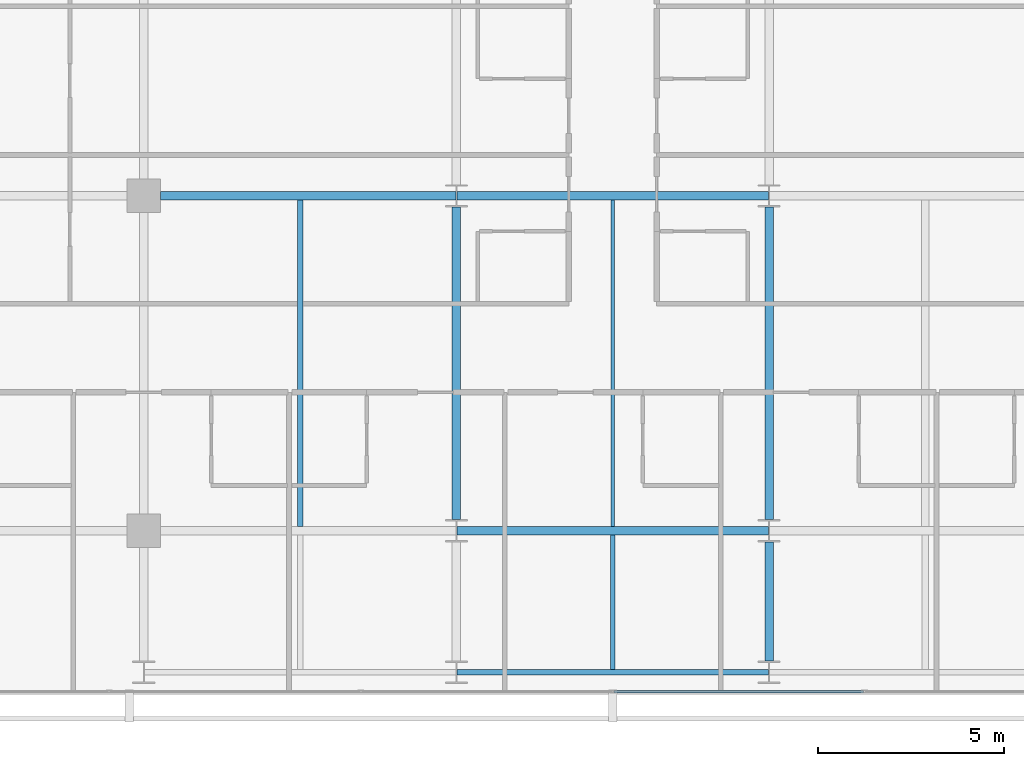
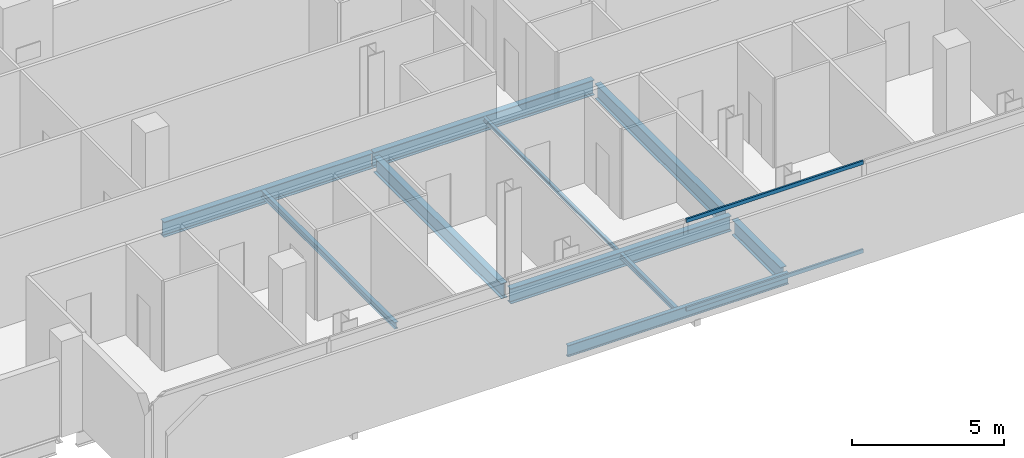
# One storey, part 7 of 34: 10 beams, 2 members, 1 element without a shape of its own.
"""IFC4 building model written with IfcOpenShell, lengths in metres."""

from ifc_helpers import new_model, si_unit, direction, frame, origin, origin_2d, place, context, subcontext, project, spatial, hollow_rectangle, i_section, extrude, material, layer, layer_set, material_profile, profile_set, type_object, element, aggregate, save


model = new_model("IFC4")

# Units and contexts
model_context = context("Model", 3, precision=1e-05, world=origin(), true_north=direction((0.0, 1.0)))
body_context = subcontext(model_context, "Body", "Model", "MODEL_VIEW")
ifc_project = project(units=[si_unit("LENGTHUNIT", "METRE"), si_unit("AREAUNIT", "SQUARE_METRE"), si_unit("VOLUMEUNIT", "CUBIC_METRE"), si_unit("PLANEANGLEUNIT", "RADIAN"), si_unit("MASSUNIT", "GRAM", prefix="KILO")], contexts=[model_context])

# Site, building, storey
site_placement = place(None, origin())
site = spatial("IfcSite", under=ifc_project, at=site_placement, CompositionType="ELEMENT")
building_placement = place(site_placement, origin())
building = spatial("IfcBuilding", under=site, at=building_placement, Name="Maruvema Waterfront Hotel and Observation Tower", CompositionType="ELEMENT")
storey_placement = place(building_placement, frame((0.0, 0.0, 131.25)))
storey = spatial("IfcBuildingStorey", under=building, at=storey_placement, Name="L31", CompositionType="ELEMENT", Elevation=131.25)

# Curtain wall, members
ifc_material_1 = material(Name="Anodised bronze aluminium and solar-control low-E IGU", Category="aluminium")
ifc_layer = layer(ifc_material_1, 0.159912109375, Name="Zone 2 Amber Inner Thermal Curtain Wall System CW-03")
ifc_layer_set = layer_set([ifc_layer], Name="Anodised bronze aluminium and solar-control low-E IGU")
curtain_wall_type = type_object("IfcCurtainWallType", Name="Zone 2 Amber Inner Thermal Curtain Wall System CW-03", PredefinedType="USERDEFINED", material=ifc_layer_set)
curtain_wall_placement = place(storey_placement, origin())
curtain_wall = element("IfcCurtainWall", 1, at=curtain_wall_placement, inside=storey, type_object=curtain_wall_type, Name="L31 Curtain Wall CW-L31-S", ObjectType="UNITISED CURTAIN WALL", PredefinedType="USERDEFINED")
ifc_material_2 = material(Name="Anodised architectural bronze aluminium", Category="aluminium")
ifc_material_profile_1 = material_profile(ifc_material_2, hollow_rectangle(XDim=0.070068359375, YDim=0.14990234375, WallThickness=0.00390625, at=origin_2d()), Name="ALU-T70x150")
ifc_profile_set_1 = profile_set([ifc_material_profile_1], Name="Anodised architectural bronze aluminium")
member_type = type_object("IfcMemberType", Name="Curtain Wall Horizontal Transom ALU-T70x150", PredefinedType="USERDEFINED", material=ifc_profile_set_1)
member_1_placement = place(storey_placement, frame((37.830078125, 4.679931640625, 0.030029296875), z_axis=(1.0, 0.0, 0.0), x_axis=(0.0, 1.0, 0.0)))
member_1 = element("IfcMember", 2, at=member_1_placement, type_object=member_type, Name="CW-03 transom 4.1", ObjectType="TRANSOM", PredefinedType="USERDEFINED", context=body_context, shape_type="SweptSolid", body=[
    extrude(hollow_rectangle(XDim=0.070068359375, YDim=0.14990234375, WallThickness=0.00390625, at=origin_2d()), origin(), (0.0, 0.0, 1.0), 6.70654296875),
])
member_2_placement = place(storey_placement, frame((37.830078125, 4.679931640625, 3.580078125), z_axis=(1.0, 0.0, 0.0), x_axis=(0.0, 1.0, 0.0)))
member_2 = element("IfcMember", 3, at=member_2_placement, type_object=member_type, Name="CW-03 transom 4.2", ObjectType="TRANSOM", PredefinedType="USERDEFINED", context=body_context, shape_type="SweptSolid", body=[
    extrude(hollow_rectangle(XDim=0.070068359375, YDim=0.14990234375, WallThickness=0.00390625, at=origin_2d()), origin(), (0.0, 0.0, 1.0), 6.70654296875),
])
aggregate(curtain_wall, [member_1, member_2])

# Beams
ifc_material_3 = material(Name="Steel ASTM A572 Grade 50", Category="steel")
ifc_material_profile_2 = material_profile(ifc_material_3, i_section(OverallWidth=0.153076171875, OverallDepth=0.455078125, WebThickness=0.008056640625, FlangeThickness=0.01318359375, FilletRadius=0.014892578125, at=origin_2d()), Name="W460x60.0")
ifc_profile_set_2 = profile_set([ifc_material_profile_2], Name="Steel ASTM A572 Grade 50")
beam_type_1 = type_object("IfcBeamType", Name="Perimeter Spandrel Beam W460x60.0", PredefinedType="SPANDREL", material=ifc_profile_set_2)
beam_1_placement = place(storey_placement, frame((33.612548828125, 5.199951171875, -0.467529296875), z_axis=(1.0, 0.0, 0.0), x_axis=(0.0, 1.0, 0.0)))
element("IfcBeam", 4, at=beam_1_placement, inside=storey, type_object=beam_type_1, Name="L31 Floor Girder EW-02", PredefinedType="SPANDREL", context=body_context, shape_type="SweptSolid", body=[
    extrude(i_section(OverallWidth=0.153076171875, OverallDepth=0.455078125, WebThickness=0.008056640625, FlangeThickness=0.01318359375, FilletRadius=0.014892578125, at=origin_2d()), origin(), (0.0, 0.0, 1.0), 8.375),
])
ifc_material_4 = material(Name="Steel ASTM A572 Grade 50", Category="steel")
ifc_material_profile_3 = material_profile(ifc_material_4, i_section(OverallWidth=0.22900390625, OverallDepth=0.612060546875, WebThickness=0.011962890625, FlangeThickness=0.01953125, FilletRadius=0.01806640625, at=origin_2d()), Name="W610x125.0")
ifc_profile_set_3 = profile_set([ifc_material_profile_3], Name="Steel ASTM A572 Grade 50")
beam_type_2 = type_object("IfcBeamType", Name="Primary Floor Girder W610x125.0", PredefinedType="BEAM", material=ifc_profile_set_3)
beam_2_placement = place(storey_placement, frame((33.612548828125, 9.0, -0.5458984375), z_axis=(1.0, 0.0, 0.0), x_axis=(0.0, 1.0, 0.0)))
element("IfcBeam", 5, at=beam_2_placement, inside=storey, type_object=beam_type_2, Name="L31 Floor Girder EW-07", PredefinedType="BEAM", context=body_context, shape_type="SweptSolid", body=[
    extrude(i_section(OverallWidth=0.22900390625, OverallDepth=0.612060546875, WebThickness=0.011962890625, FlangeThickness=0.01953125, FilletRadius=0.01806640625, at=origin_2d()), origin(), (0.0, 0.0, 1.0), 8.375),
])
beam_3_placement = place(storey_placement, frame((25.64990234375, 18.0, -0.5458984375), z_axis=(1.0, 0.0, 0.0), x_axis=(0.0, 1.0, 0.0)))
element("IfcBeam", 6, at=beam_3_placement, inside=storey, type_object=beam_type_2, Name="L31 Floor Girder EW-13", PredefinedType="BEAM", context=body_context, shape_type="SweptSolid", body=[
    extrude(i_section(OverallWidth=0.22900390625, OverallDepth=0.612060546875, WebThickness=0.011962890625, FlangeThickness=0.01953125, FilletRadius=0.01806640625, at=origin_2d()), origin(), (0.0, 0.0, 1.0), 7.9375),
])
beam_4_placement = place(storey_placement, frame((33.612548828125, 18.0, -0.5458984375), z_axis=(1.0, 0.0, 0.0), x_axis=(0.0, 1.0, 0.0)))
element("IfcBeam", 7, at=beam_4_placement, inside=storey, type_object=beam_type_2, Name="L31 Floor Girder EW-14", PredefinedType="BEAM", context=body_context, shape_type="SweptSolid", body=[
    extrude(i_section(OverallWidth=0.22900390625, OverallDepth=0.612060546875, WebThickness=0.011962890625, FlangeThickness=0.01953125, FilletRadius=0.01806640625, at=origin_2d()), origin(), (0.0, 0.0, 1.0), 8.375),
])
beam_5_placement = place(storey_placement, frame((33.60009765625, 9.300048828125, -0.5458984375), z_axis=(0.0, 1.0, 0.0), x_axis=(-1.0, 0.0, 0.0)))
element("IfcBeam", 8, at=beam_5_placement, inside=storey, type_object=beam_type_2, Name="L31 Floor Girder NS-15", PredefinedType="BEAM", context=body_context, shape_type="SweptSolid", body=[
    extrude(i_section(OverallWidth=0.22900390625, OverallDepth=0.612060546875, WebThickness=0.011962890625, FlangeThickness=0.01953125, FilletRadius=0.01806640625, at=origin_2d()), origin(), (0.0, 0.0, 1.0), 8.39990234375),
])
beam_6_placement = place(storey_placement, frame((42.0, 5.5, -0.5458984375), z_axis=(0.0, 1.0, 0.0), x_axis=(-1.0, 0.0, 0.0)))
element("IfcBeam", 9, at=beam_6_placement, inside=storey, type_object=beam_type_2, Name="L31 Floor Girder NS-17", PredefinedType="BEAM", context=body_context, shape_type="SweptSolid", body=[
    extrude(i_section(OverallWidth=0.22900390625, OverallDepth=0.612060546875, WebThickness=0.011962890625, FlangeThickness=0.01953125, FilletRadius=0.01806640625, at=origin_2d()), origin(), (0.0, 0.0, 1.0), 3.199951171875),
])
beam_7_placement = place(storey_placement, frame((42.0, 9.300048828125, -0.5458984375), z_axis=(0.0, 1.0, 0.0), x_axis=(-1.0, 0.0, 0.0)))
element("IfcBeam", 10, at=beam_7_placement, inside=storey, type_object=beam_type_2, Name="L31 Floor Girder NS-18", PredefinedType="BEAM", context=body_context, shape_type="SweptSolid", body=[
    extrude(i_section(OverallWidth=0.22900390625, OverallDepth=0.612060546875, WebThickness=0.011962890625, FlangeThickness=0.01953125, FilletRadius=0.01806640625, at=origin_2d()), origin(), (0.0, 0.0, 1.0), 8.39990234375),
])
ifc_material_5 = material(Name="Steel ASTM A572 Grade 50", Category="steel")
ifc_material_profile_4 = material_profile(ifc_material_5, i_section(OverallWidth=0.10009765625, OverallDepth=0.153076171875, WebThickness=0.005859375, FlangeThickness=0.007080078125, FilletRadius=0.008056640625, at=origin_2d()), Name="W150x18.0")
ifc_profile_set_4 = profile_set([ifc_material_profile_4], Name="Steel ASTM A572 Grade 50")
beam_type_3 = type_object("IfcBeamType", Name="Secondary Floor Joist W150x18.0", PredefinedType="JOIST", material=ifc_profile_set_4)
beam_8_placement = place(storey_placement, frame((37.800048828125, 9.114501953125, -0.31640625), z_axis=(0.0, 1.0, 0.0), x_axis=(-1.0, 0.0, 0.0)))
element("IfcBeam", 11, at=beam_8_placement, inside=storey, type_object=beam_type_3, Name="L31 Secondary Floor Joist JS-08", PredefinedType="JOIST", context=body_context, shape_type="SweptSolid", body=[
    extrude(i_section(OverallWidth=0.10009765625, OverallDepth=0.153076171875, WebThickness=0.005859375, FlangeThickness=0.007080078125, FilletRadius=0.008056640625, at=origin_2d()), origin(), (0.0, 0.0, 1.0), 8.77099609375),
])
ifc_material_6 = material(Name="Steel ASTM A572 Grade 50", Category="steel")
ifc_material_profile_5 = material_profile(ifc_material_6, i_section(OverallWidth=0.133056640625, OverallDepth=0.20703125, WebThickness=0.005859375, FlangeThickness=0.00830078125, FilletRadius=0.010009765625, at=origin_2d()), Name="W200x26.6")
ifc_profile_set_5 = profile_set([ifc_material_profile_5], Name="Steel ASTM A572 Grade 50")
beam_type_4 = type_object("IfcBeamType", Name="Secondary Floor Joist W200x26.6", PredefinedType="JOIST", material=ifc_profile_set_5)
beam_9_placement = place(storey_placement, frame((37.800048828125, 5.276611328125, -0.343505859375), z_axis=(0.0, 1.0, 0.0), x_axis=(-1.0, 0.0, 0.0)))
element("IfcBeam", 12, at=beam_9_placement, inside=storey, type_object=beam_type_4, Name="L31 Secondary Floor Joist JS-07", PredefinedType="JOIST", context=body_context, shape_type="SweptSolid", body=[
    extrude(i_section(OverallWidth=0.133056640625, OverallDepth=0.20703125, WebThickness=0.005859375, FlangeThickness=0.00830078125, FilletRadius=0.010009765625, at=origin_2d()), origin(), (0.0, 0.0, 1.0), 3.60888671875),
])
ifc_material_7 = material(Name="Steel ASTM A572 Grade 50", Category="steel")
ifc_material_profile_6 = material_profile(ifc_material_7, i_section(OverallWidth=0.14599609375, OverallDepth=0.258056640625, WebThickness=0.006103515625, FlangeThickness=0.009033203125, FilletRadius=0.012939453125, at=origin_2d()), Name="W250x32.7")
ifc_profile_set_6 = profile_set([ifc_material_profile_6], Name="Steel ASTM A572 Grade 50")
beam_type_5 = type_object("IfcBeamType", Name="Secondary Floor Joist W250x32.7", PredefinedType="JOIST", material=ifc_profile_set_6)
beam_10_placement = place(storey_placement, frame((29.39990234375, 9.114501953125, -0.368896484375), z_axis=(0.0, 1.0, 0.0), x_axis=(-1.0, 0.0, 0.0)))
element("IfcBeam", 13, at=beam_10_placement, inside=storey, type_object=beam_type_5, Name="L31 Secondary Floor Joist JS-06", PredefinedType="JOIST", context=body_context, shape_type="SweptSolid", body=[
    extrude(i_section(OverallWidth=0.14599609375, OverallDepth=0.258056640625, WebThickness=0.006103515625, FlangeThickness=0.009033203125, FilletRadius=0.012939453125, at=origin_2d()), origin(), (0.0, 0.0, 1.0), 8.77099609375),
])

save(model, "model.ifc")
